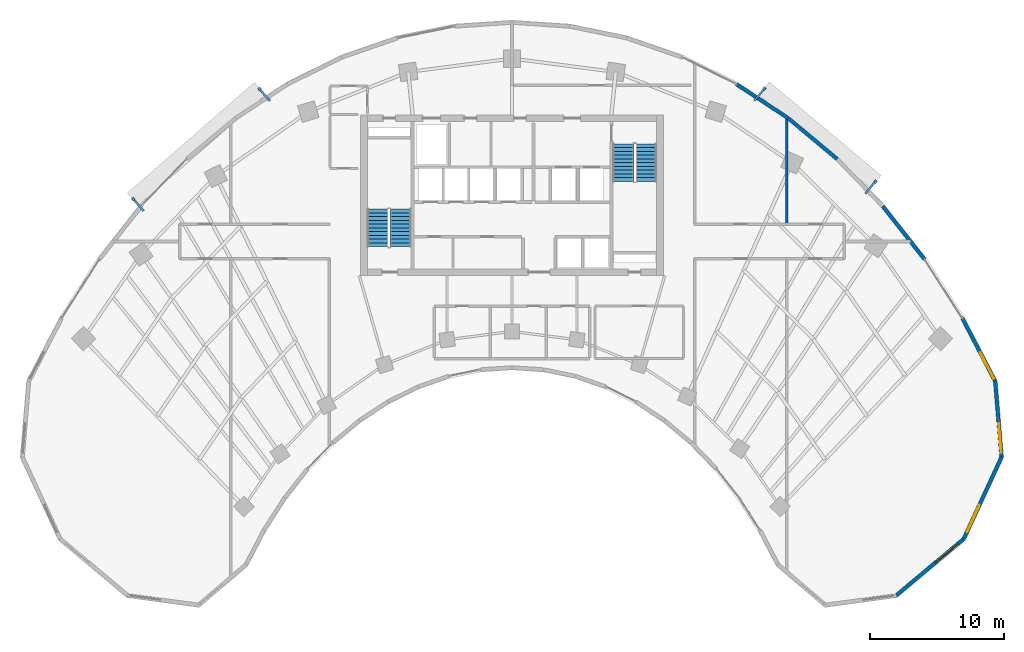
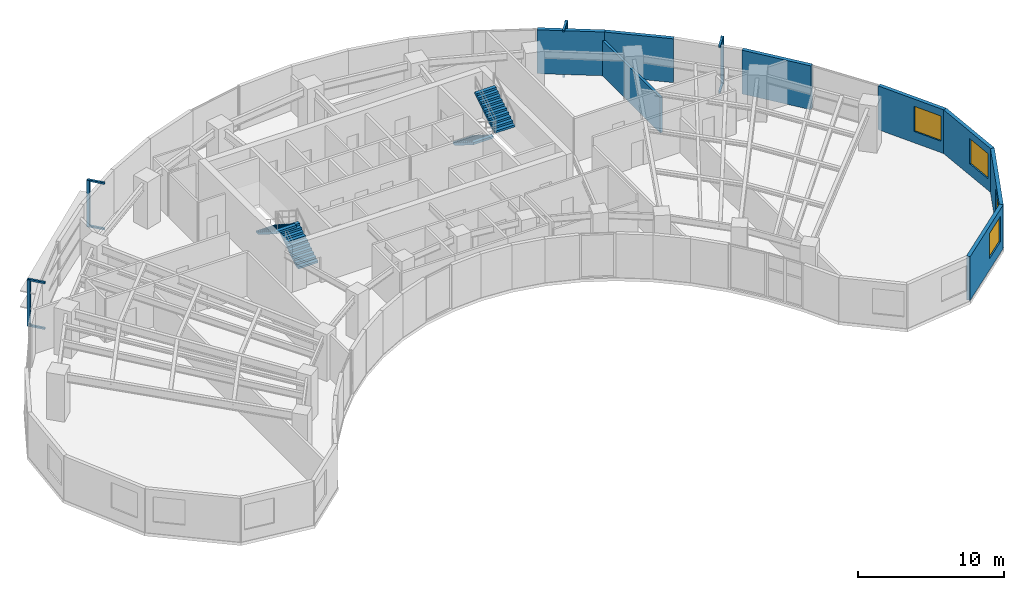
# One storey, part 11 of 13: 12 discrete accessories, 8 walls, 4 stair flights, 4 windows, 4 openings, 2 elements without a shape of their own.
"""IFC4 building model written with IfcOpenShell, lengths in metres."""

import ifcopenshell
import ifcopenshell.guid

model = None  # the IFC model being written
_history = None  # IfcOwnerHistory: only IFC2X3 demands one
_inside = {}  # id of a spatial element -> (the spatial element, [elements in it])
_under = {}  # id of a project, library or spatial element -> (it, [spatial elements below it])
_declared = {}  # id of a project -> (the project, [libraries it declares])
_typed = {}  # id of a type object -> (the type object, [elements of that type])
_made_of = {}  # id of a material, layer set ... -> (it, [elements and type objects made of it])


def new_model(schema):
    """Start an empty IFC model of exactly this schema.

    Asked for "IFC4X3", IfcOpenShell would pick the latest addendum, in which some entities
    have other attributes; the version numbers below select the first issue.
    IFC2X3 requires an IfcOwnerHistory on every rooted entity: one is made here for all.
    """
    global model, _history
    if schema == "IFC4X3":
        model = ifcopenshell.file(schema_version=(4, 3, 0, 0))
    else:
        model = ifcopenshell.file(schema=schema)
    _inside.clear()
    _under.clear()
    _declared.clear()
    _typed.clear()
    _made_of.clear()
    _history = None
    if model.schema == "IFC2X3":
        org = make("IfcOrganization", Name="unknown")
        user = make(
            "IfcPersonAndOrganization",
            ThePerson=make("IfcPerson", FamilyName="unknown"),
            TheOrganization=org,
        )
        app = make(
            "IfcApplication",
            ApplicationDeveloper=org,
            Version="unknown",
            ApplicationFullName="unknown",
            ApplicationIdentifier="unknown",
        )
        _history = make(
            "IfcOwnerHistory",
            OwningUser=user,
            OwningApplication=app,
            ChangeAction="ADDED",
            CreationDate=0,
        )
    return model


def make(cls, **values):
    """One entity of the class cls with the attributes given. An attribute that is None is left unset."""
    return model.create_entity(
        cls, **{name: value for name, value in values.items() if value is not None}
    )


def rooted(cls, **values):
    """An entity with a GlobalId (a new one), such as an element, a storey or a relation."""
    return make(cls, GlobalId=ifcopenshell.guid.new(), OwnerHistory=_history, **values)


def si_unit(unit_type, name, prefix=None):
    """IfcSIUnit, for example si_unit("LENGTHUNIT", "METRE", prefix="MILLI")."""
    return make("IfcSIUnit", UnitType=unit_type, Prefix=prefix, Name=name)


def assignment(units):
    """IfcUnitAssignment: the units of a project."""
    return None if units is None else make("IfcUnitAssignment", Units=units)


def point(xyz):
    """IfcCartesianPoint."""
    return None if xyz is None else make("IfcCartesianPoint", Coordinates=xyz)


def direction(xyz):
    """IfcDirection."""
    return None if xyz is None else make("IfcDirection", DirectionRatios=xyz)


def frame(location, z_axis=None, x_axis=None):
    """IfcAxis2Placement3D, a coordinate frame: its origin and axes. An axis left out is left unset."""
    return make(
        "IfcAxis2Placement3D",
        Location=point(location),
        Axis=direction(z_axis),
        RefDirection=direction(x_axis),
    )


def frame_2d(location, x_axis=None):
    """IfcAxis2Placement2D, a coordinate frame in the plane: its origin and x axis."""
    return make(
        "IfcAxis2Placement2D", Location=point(location), RefDirection=direction(x_axis)
    )


def origin():
    """The frame at (0, 0, 0) with its axes left unset."""
    return frame((0.0, 0.0, 0.0))


def origin_2d():
    """The frame at (0, 0) in the plane with its x axis left unset."""
    return frame_2d((0.0, 0.0))


def place(relative_to, where):
    """IfcLocalPlacement: puts the frame where relative to a parent placement (None: the world)."""
    return make(
        "IfcLocalPlacement", PlacementRelTo=relative_to, RelativePlacement=where
    )


def context(
    kind, dimensions, precision=None, world=None, true_north=None, identifier=None
):
    """IfcGeometricRepresentationContext, for example the 3D "Model" context."""
    return make(
        "IfcGeometricRepresentationContext",
        ContextIdentifier=identifier,
        ContextType=kind,
        CoordinateSpaceDimension=dimensions,
        Precision=precision,
        WorldCoordinateSystem=world,
        TrueNorth=true_north,
    )


def subcontext(parent, identifier, kind, view, scale=None):
    """IfcGeometricRepresentationSubContext, for example "Body" below "Model"."""
    return make(
        "IfcGeometricRepresentationSubContext",
        ContextIdentifier=identifier,
        ContextType=kind,
        ParentContext=parent,
        TargetScale=scale,
        TargetView=view,
    )


def project(units=None, contexts=None):
    """IfcProject with its units and contexts."""
    return rooted(
        "IfcProject",
        Name="project",
        RepresentationContexts=contexts,
        UnitsInContext=assignment(units),
    )


def spatial(cls, under=None, at=None, **own):
    """A site, building, storey or space (cls), placed at a placement, below another one or the project."""
    s = rooted(cls, ObjectPlacement=at, **own)
    if under is not None:
        _under.setdefault(under.id(), (under, []))[1].append(s)
    return s


def polyline(points):
    """IfcPolyline through the points."""
    return make("IfcPolyline", Points=[point(p) for p in points])


def profile(cls, at=None, kind="AREA", **sizes):
    """A parametric profile (cls). Its sizes go by their IFC names, for example OverallWidth=200.0."""
    return make(cls, ProfileType=kind, Position=at, **sizes)


def rectangle(**sizes):
    """IfcRectangleProfileDef."""
    return profile("IfcRectangleProfileDef", **sizes)


def outline(outer, holes=None, kind="AREA"):
    """IfcArbitraryClosedProfileDef: a profile drawn as a closed curve; with holes, ...WithVoids."""
    if holes is None:
        return make("IfcArbitraryClosedProfileDef", ProfileType=kind, OuterCurve=outer)
    return make(
        "IfcArbitraryProfileDefWithVoids",
        ProfileType=kind,
        OuterCurve=outer,
        InnerCurves=holes,
    )


def extrude(swept, where, along, depth):
    """IfcExtrudedAreaSolid: the profile swept, set in the frame where, extruded along a direction by depth."""
    return make(
        "IfcExtrudedAreaSolid",
        SweptArea=swept,
        Position=where,
        ExtrudedDirection=direction(along),
        Depth=depth,
    )


def shape(context_of_items, identifier, shape_type, items):
    """IfcShapeRepresentation: the items that make up one representation, for example the "Body"."""
    return make(
        "IfcShapeRepresentation",
        ContextOfItems=context_of_items,
        RepresentationIdentifier=identifier,
        RepresentationType=shape_type,
        Items=items,
    )


def source(mapping_origin, context_of_items, identifier, shape_type, items):
    """IfcRepresentationMap: a shape defined once, which mapped items show again and again."""
    return make(
        "IfcRepresentationMap",
        MappingOrigin=mapping_origin,
        MappedRepresentation=shape(context_of_items, identifier, shape_type, items),
    )


def transform(
    local_origin,
    x_axis=None,
    y_axis=None,
    z_axis=None,
    scale=None,
    scale2=None,
    scale3=None,
    uniform=True,
):
    """IfcCartesianTransformationOperator3D, or its non-uniform kind. x_axis, y_axis, z_axis: its Axis1, 2, 3."""
    if uniform:
        return make(
            "IfcCartesianTransformationOperator3D",
            Axis1=direction(x_axis),
            Axis2=direction(y_axis),
            LocalOrigin=point(local_origin),
            Scale=scale,
            Axis3=direction(z_axis),
        )
    return make(
        "IfcCartesianTransformationOperator3DnonUniform",
        Axis1=direction(x_axis),
        Axis2=direction(y_axis),
        LocalOrigin=point(local_origin),
        Scale=scale,
        Axis3=direction(z_axis),
        Scale2=scale2,
        Scale3=scale3,
    )


def mapped(mapping_source, mapping_target):
    """IfcMappedItem: shows the shape of a source again, moved by a transform."""
    return make(
        "IfcMappedItem", MappingSource=mapping_source, MappingTarget=mapping_target
    )


def material(Name=None, Category=None):
    """IfcMaterial."""
    return make("IfcMaterial", Name=Name, Category=Category)


def layer(
    of_material, thickness, ventilated=None, Name=None, Category=None, Priority=None
):
    """IfcMaterialLayer: one layer of a wall or slab, of a material (None: an air gap)."""
    return make(
        "IfcMaterialLayer",
        Material=of_material,
        LayerThickness=thickness,
        IsVentilated=ventilated,
        Name=Name,
        Category=Category,
        Priority=Priority,
    )


def layer_set(layers, Name=None):
    """IfcMaterialLayerSet."""
    return make("IfcMaterialLayerSet", MaterialLayers=layers, LayerSetName=Name)


def made_of(thing, what):
    """Note that an element or type object is made of a material, layer set ...; save() writes the relation."""
    if what is not None:
        _made_of.setdefault(what.id(), (what, []))[1].append(thing)
    return thing


def type_object(cls, material=None, **own):
    """A type object (cls), such as IfcWallType, which elements share."""
    return made_of(rooted(cls, **own), material)


def type_shapes(of_type, sources):
    """Give a type object the sources (RepresentationMaps) that its elements show as mapped items."""
    of_type.RepresentationMaps = sources


def element(
    cls,
    number,
    at=None,
    inside=None,
    cuts=None,
    type_object=None,
    material=None,
    context=None,
    identifier="Body",
    shape_type=None,
    held_by="IfcProductDefinitionShape",
    body=None,
    shapes=None,
    **own,
):
    """One element of the class cls, such as IfcWall. Its Tag is "e" and its number.

    at: its placement. inside: the storey or other place that contains it. cuts: it is an
    opening in that element (IfcRelVoidsElement). A single representation is given by context,
    identifier, shape_type and body (its items); several are given by shapes. held_by: the class
    of the entity that holds the representations. save() writes the other relations.
    """
    e = rooted(cls, Tag="e%d" % number, ObjectPlacement=at, **own)
    if body is not None:
        shapes = [shape(context, identifier, shape_type, body)]
    if shapes is not None:
        e.Representation = make(held_by, Representations=shapes)
    if inside is not None:
        _inside.setdefault(inside.id(), (inside, []))[1].append(e)
    if cuts is not None:
        rooted(
            "IfcRelVoidsElement", RelatingBuildingElement=cuts, RelatedOpeningElement=e
        )
    if type_object is not None:
        _typed.setdefault(type_object.id(), (type_object, []))[1].append(e)
    return made_of(e, material)


def fill(opening, filler):
    """IfcRelFillsElement: the door or window that sits in an opening."""
    return rooted(
        "IfcRelFillsElement",
        RelatingOpeningElement=opening,
        RelatedBuildingElement=filler,
    )


def aggregate(whole, parts):
    """IfcRelAggregates: a whole, such as a stair, and the parts it consists of."""
    return rooted("IfcRelAggregates", RelatingObject=whole, RelatedObjects=parts)


def save(model, path):
    """Write the relations noted so far, then the file.

    IfcRelAggregates (storeys below a building ...), IfcRelContainedInSpatialStructure (elements
    in a storey), IfcRelDefinesByType, IfcRelAssociatesMaterial and IfcRelDeclares: one each for
    every whole, place, type object, material and project.
    """
    for whole, parts in _under.values():
        aggregate(whole, parts)
    for where, things in _inside.values():
        rooted(
            "IfcRelContainedInSpatialStructure",
            RelatedElements=things,
            RelatingStructure=where,
        )
    for kind, things in _typed.values():
        rooted("IfcRelDefinesByType", RelatedObjects=things, RelatingType=kind)
    for what, things in _made_of.values():
        rooted("IfcRelAssociatesMaterial", RelatedObjects=things, RelatingMaterial=what)
    for by, libraries in _declared.values():
        rooted("IfcRelDeclares", RelatingContext=by, RelatedDefinitions=libraries)
    model.write(path)


model = new_model("IFC4")

# Units and contexts
model_context = context("Model", 3, precision=1e-05, world=origin(), true_north=direction((0.0, 1.0)))
body_context = subcontext(model_context, "Body", "Model", "MODEL_VIEW")
ifc_project = project(units=[si_unit("LENGTHUNIT", "METRE"), si_unit("AREAUNIT", "SQUARE_METRE"), si_unit("VOLUMEUNIT", "CUBIC_METRE"), si_unit("PLANEANGLEUNIT", "RADIAN"), si_unit("MASSUNIT", "GRAM", prefix="KILO")], contexts=[model_context])

# Site, building, storey
site_placement = place(None, origin())
site = spatial("IfcSite", under=ifc_project, at=site_placement, CompositionType="ELEMENT")
building_placement = place(site_placement, origin())
building = spatial("IfcBuilding", under=site, at=building_placement, Name="Breltana Convention Tower", CompositionType="ELEMENT")
storey_placement = place(building_placement, frame((0.0, 0.0, 107.699951171875)))
storey = spatial("IfcBuildingStorey", under=building, at=storey_placement, Name="L25", CompositionType="ELEMENT", Elevation=107.699951171875)

# Wall, opening, window
ifc_material_1 = material(Name="Limestone Buff Insulated Wall", Category="masonry")
ifc_layer_1 = layer(ifc_material_1, 0.280029296875, Name="Limestone Buff Insulated Wall")
ifc_layer_set_1 = layer_set([ifc_layer_1], Name="Limestone Buff Insulated Wall")
wall_type_1 = type_object("IfcWallType", Name="WL-EXT-NOSE-280", PredefinedType="SOLIDWALL", material=ifc_layer_set_1)
shared_shape_1 = source(origin(), body_context, "Body", "SweptSolid", [
    extrude(rectangle(XDim=5.673583984375, YDim=0.280029296875, at=frame_2d((2.8369140625, 0.0))), origin(), (0.0, 0.0, 1.0), 3.650146484375),
])
wall_1_placement = place(storey_placement, frame((84.07763671875, 52.305419921875, 0.0), z_axis=(0.0, 0.0, 1.0), x_axis=(0.083309007867, -0.996523762491, 0.0)))
wall_1 = element("IfcWall", 1, at=wall_1_placement, inside=storey, type_object=wall_type_1, Name="L25 curved limestone nose wall E1", PredefinedType="SOLIDWALL", context=body_context, shape_type="MappedRepresentation", body=[
    mapped(shared_shape_1, transform((0.0, 0.0, 0.0), scale=1.0)),
])
opening_1_placement = place(wall_1_placement, frame((3.155029296875, 0.0, 0.949951171875)))
opening_1 = element("IfcOpeningElement", 2, at=opening_1_placement, cuts=wall_1, Name="Opening W-03", PredefinedType="OPENING", context=body_context, shape_type="SweptSolid", body=[
    extrude(rectangle(XDim=2.199951171875, YDim=2.10009765625, at=frame_2d((1.10009765625, 1.050048828125))), frame((0.0, 0.14990234375, 0.0), z_axis=(0.0, -1.0, 0.0), x_axis=(1.0, 0.0, 0.0)), (0.0, 0.0, 1.0), 0.300048828125),
])
ifc_material_2 = material(Name="Glass Low-E Insulated Window", Category="glass")
window_type = type_object("IfcWindowType", Name="WN-NOSE-2200X2100", PartitioningType="TRIPLE_PANEL_VERTICAL", PredefinedType="WINDOW", material=ifc_material_2)
shared_shape_2 = source(origin(), body_context, "Body", "SweptSolid", [
    extrude(rectangle(XDim=2.199951171875, YDim=2.10009765625, at=frame_2d((1.10009765625, 1.050048828125))), frame((0.0, 0.030029296875, 0.0), z_axis=(0.0, -1.0, 0.0), x_axis=(1.0, 0.0, 0.0)), (0.0, 0.0, 1.0), 0.06005859375),
])
type_shapes(window_type, [shared_shape_2])
window_1_placement = place(opening_1_placement, origin())
window_1 = element("IfcWindow", 3, at=window_1_placement, inside=storey, type_object=window_type, Name="L25 nose window E1", OverallHeight=2.10009765625, OverallWidth=2.199951171875, PartitioningType="TRIPLE_PANEL_VERTICAL", PredefinedType="WINDOW", context=body_context, shape_type="MappedRepresentation", body=[
    mapped(shared_shape_2, transform((0.0, 0.0, 0.0), scale=1.0)),
])
fill(opening_1, window_1)

shared_shape_3 = source(origin(), body_context, "Body", "SweptSolid", [
    extrude(rectangle(XDim=6.731689453125, YDim=0.280029296875, at=frame_2d((3.36572265625, 0.0))), origin(), (0.0, 0.0, 1.0), 3.650146484375),
])
wall_2_placement = place(storey_placement, frame((84.55029296875, 46.651611328125, 0.0), z_axis=(0.0, 0.0, 1.0), x_axis=(-0.419644552709, -0.907688520023, 0.0)))
wall_2 = element("IfcWall", 4, at=wall_2_placement, inside=storey, type_object=wall_type_1, Name="L25 curved limestone nose wall E2", PredefinedType="SOLIDWALL", context=body_context, shape_type="MappedRepresentation", body=[
    mapped(shared_shape_3, transform((0.0, 0.0, 0.0), scale=1.0)),
])
opening_2_placement = place(wall_2_placement, frame((3.948974609375, 0.0, 0.949951171875)))
opening_2 = element("IfcOpeningElement", 5, at=opening_2_placement, cuts=wall_2, Name="Opening W-03", PredefinedType="OPENING", context=body_context, shape_type="SweptSolid", body=[
    extrude(rectangle(XDim=2.199951171875, YDim=2.10009765625, at=frame_2d((1.10009765625, 1.050048828125))), frame((0.0, 0.14990234375, 0.0), z_axis=(0.0, -1.0, 0.0), x_axis=(1.0, 0.0, 0.0)), (0.0, 0.0, 1.0), 0.300048828125),
])
window_2_placement = place(opening_2_placement, origin())
window_2 = element("IfcWindow", 6, at=window_2_placement, inside=storey, type_object=window_type, Name="L25 nose window E2", OverallHeight=2.10009765625, OverallWidth=2.199951171875, PartitioningType="TRIPLE_PANEL_VERTICAL", PredefinedType="WINDOW", context=body_context, shape_type="MappedRepresentation", body=[
    mapped(shared_shape_2, transform((0.0, 0.0, 0.0), scale=1.0)),
])
fill(opening_2, window_2)

shared_shape_4 = source(origin(), body_context, "Body", "SweptSolid", [
    extrude(rectangle(XDim=6.572998046875, YDim=0.280029296875, at=frame_2d((3.28662109375, 0.0))), origin(), (0.0, 0.0, 1.0), 3.650146484375),
])
wall_3_placement = place(storey_placement, frame((81.725341796875, 40.541259765625, 0.0), z_axis=(0.0, 0.0, 1.0), x_axis=(-0.766715154163, -0.641987439423, 0.0)))
wall_3 = element("IfcWall", 7, at=wall_3_placement, inside=storey, type_object=wall_type_1, Name="L25 curved limestone nose wall E3", PredefinedType="SOLIDWALL", context=body_context, shape_type="MappedRepresentation", body=[
    mapped(shared_shape_4, transform((0.0, 0.0, 0.0), scale=1.0)),
])
opening_3_placement = place(wall_3_placement, frame((0.543212890625, 0.0, 0.949951171875)))
opening_3 = element("IfcOpeningElement", 8, at=opening_3_placement, cuts=wall_3, Name="Opening W-03", PredefinedType="OPENING", context=body_context, shape_type="SweptSolid", body=[
    extrude(rectangle(XDim=2.199951171875, YDim=2.10009765625, at=frame_2d((1.10009765625, 1.050048828125))), frame((0.0, 0.14990234375, 0.0), z_axis=(0.0, -1.0, 0.0), x_axis=(1.0, 0.0, 0.0)), (0.0, 0.0, 1.0), 0.300048828125),
])
window_3_placement = place(opening_3_placement, origin())
window_3 = element("IfcWindow", 9, at=window_3_placement, inside=storey, type_object=window_type, Name="L25 nose window E3", OverallHeight=2.10009765625, OverallWidth=2.199951171875, PartitioningType="TRIPLE_PANEL_VERTICAL", PredefinedType="WINDOW", context=body_context, shape_type="MappedRepresentation", body=[
    mapped(shared_shape_2, transform((0.0, 0.0, 0.0), scale=1.0)),
])
fill(opening_3, window_3)

shared_shape_5 = source(origin(), body_context, "Body", "SweptSolid", [
    extrude(rectangle(XDim=5.315185546875, YDim=0.280029296875, at=frame_2d((2.65771484375, 0.0))), origin(), (0.0, 0.0, 1.0), 3.650146484375),
])
wall_4_placement = place(storey_placement, frame((81.623291015625, 57.02001953125, 0.0), z_axis=(0.0, 0.0, 1.0), x_axis=(0.461760527822, -0.887004630735, 0.0)))
wall_4 = element("IfcWall", 10, at=wall_4_placement, inside=storey, type_object=wall_type_1, Name="L25 curved limestone nose wall E33", PredefinedType="SOLIDWALL", context=body_context, shape_type="MappedRepresentation", body=[
    mapped(shared_shape_5, transform((0.0, 0.0, 0.0), scale=1.0)),
])
opening_4_placement = place(wall_4_placement, frame((2.886474609375, 0.0, 0.949951171875)))
opening_4 = element("IfcOpeningElement", 11, at=opening_4_placement, cuts=wall_4, Name="Opening W-03", PredefinedType="OPENING", context=body_context, shape_type="SweptSolid", body=[
    extrude(rectangle(XDim=2.199951171875, YDim=2.10009765625, at=frame_2d((1.10009765625, 1.050048828125))), frame((0.0, 0.14990234375, 0.0), z_axis=(0.0, -1.0, 0.0), x_axis=(1.0, 0.0, 0.0)), (0.0, 0.0, 1.0), 0.300048828125),
])
window_4_placement = place(opening_4_placement, origin())
window_4 = element("IfcWindow", 12, at=window_4_placement, inside=storey, type_object=window_type, Name="L25 nose window E33", OverallHeight=2.10009765625, OverallWidth=2.199951171875, PartitioningType="TRIPLE_PANEL_VERTICAL", PredefinedType="WINDOW", context=body_context, shape_type="MappedRepresentation", body=[
    mapped(shared_shape_2, transform((0.0, 0.0, 0.0), scale=1.0)),
])
fill(opening_4, window_4)

# Walls
shared_shape_6 = source(origin(), body_context, "Body", "SweptSolid", [
    extrude(rectangle(XDim=5.05810546875, YDim=0.280029296875, at=frame_2d((2.529052734375, 0.0))), origin(), (0.0, 0.0, 1.0), 3.650146484375),
])
wall_5_placement = place(storey_placement, frame((75.684814453125, 65.37646484375, 0.0), z_axis=(0.0, 0.0, 1.0), x_axis=(0.618145507434, -0.786063694391, 0.0)))
element("IfcWall", 13, at=wall_5_placement, inside=storey, type_object=wall_type_1, Name="L25 curved limestone nose wall E32", PredefinedType="SOLIDWALL", context=body_context, shape_type="MappedRepresentation", body=[
    mapped(shared_shape_6, transform((0.0, 0.0, 0.0), scale=1.0)),
])
shared_shape_7 = source(origin(), body_context, "Body", "SweptSolid", [
    extrude(rectangle(XDim=4.76220703125, YDim=0.280029296875, at=frame_2d((2.381103515625, 0.0))), origin(), (0.0, 0.0, 1.0), 3.650146484375),
])
wall_6_placement = place(storey_placement, frame((68.6181640625, 71.957763671875, 0.0), z_axis=(0.0, 0.0, 1.0), x_axis=(0.767952279762, -0.640507061638, 0.0)))
element("IfcWall", 14, at=wall_6_placement, inside=storey, type_object=wall_type_1, Name="L25 curved limestone nose wall E30", PredefinedType="SOLIDWALL", context=body_context, shape_type="MappedRepresentation", body=[
    mapped(shared_shape_7, transform((0.0, 0.0, 0.0), scale=1.0)),
])
shared_shape_8 = source(origin(), body_context, "Body", "SweptSolid", [
    extrude(rectangle(XDim=4.625732421875, YDim=0.280029296875, at=frame_2d((2.31298828125, 0.0))), origin(), (0.0, 0.0, 1.0), 3.650146484375),
])
wall_7_placement = place(storey_placement, frame((64.751220703125, 74.496337890625, 0.0), z_axis=(0.0, 0.0, 1.0), x_axis=(0.83595938331, -0.548791316855, 0.0)))
element("IfcWall", 15, at=wall_7_placement, inside=storey, type_object=wall_type_1, Name="L25 curved limestone nose wall E29", PredefinedType="SOLIDWALL", context=body_context, shape_type="MappedRepresentation", body=[
    mapped(shared_shape_8, transform((0.0, 0.0, 0.0), scale=1.0)),
])
ifc_material_3 = material(Name="Gypsum Acoustic Hotel Wall")
ifc_layer_2 = layer(ifc_material_3, 0.195068359375, Name="Gypsum Acoustic Hotel Wall")
ifc_layer_set_2 = layer_set([ifc_layer_2], Name="Gypsum Acoustic Hotel Wall")
wall_type_2 = type_object("IfcWallType", Name="WL-HOTEL-200", PredefinedType="PARTITIONING", material=ifc_layer_set_2)
shared_shape_9 = source(origin(), body_context, "Body", "SweptSolid", [
    extrude(rectangle(XDim=7.96337890625, YDim=0.195068359375, at=frame_2d((3.981689453125, 0.0))), origin(), (0.0, 0.0, 1.0), 2.942138671875),
])
wall_8_placement = place(storey_placement, frame((68.5, 64.06005859375, 0.0), z_axis=(0.0, 0.0, 1.0), x_axis=(0.0, 1.0, 0.0)))
element("IfcWall", 16, at=wall_8_placement, inside=storey, type_object=wall_type_2, Name="L25 interior partition W-L25-ZEN1-E", PredefinedType="PARTITIONING", context=body_context, shape_type="MappedRepresentation", body=[
    mapped(shared_shape_9, transform((0.0, 0.0, 0.0), scale=1.0)),
])

# Stair, stair flights
ifc_material_4 = material(Name="Concrete C40/50", Category="concrete")
stair_type = type_object("IfcStairType", Name="ST-DOG-1560-R177", PredefinedType="HALF_TURN_STAIR", material=ifc_material_4)
stair_1_placement = place(storey_placement, origin())
stair_1 = element("IfcStair", 17, at=stair_1_placement, inside=storey, type_object=stair_type, Name="L25 Protected Core Exit Stair ST-1", PredefinedType="HALF_TURN_STAIR")
stair_flight_type = type_object("IfcStairFlightType", Name="STF-DOG-1560-N11-R177", PredefinedType="STRAIGHT", material=ifc_material_4)
stair_flight_1_placement = place(storey_placement, frame((39.68994140625, 62.360107421875, 0.0), z_axis=(0.0, 0.0, 1.0), x_axis=(0.0, 1.0, 0.0)))
stair_flight_1 = element("IfcStairFlight", 18, at=stair_flight_1_placement, type_object=stair_flight_type, Name="ST-1 flight 1", NumberOfRisers=11, NumberOfTreads=10, PredefinedType="STRAIGHT", RiserHeight=0.177272727, TreadLength=0.28, context=body_context, shape_type="SweptSolid", body=[
    extrude(outline(polyline([(0.0, 0.0), (0.0, 0.17724609375), (0.280029296875, 0.17724609375), (0.280029296875, 0.3544921875), (0.56005859375, 0.3544921875), (0.56005859375, 0.53173828125), (0.840087890625, 0.53173828125), (0.840087890625, 0.708984375), (1.1201171875, 0.708984375), (1.1201171875, 0.886474609375), (1.39990234375, 0.886474609375), (1.39990234375, 1.063720703125), (1.679931640625, 1.063720703125), (1.679931640625, 1.240966796875), (1.9599609375, 1.240966796875), (1.9599609375, 1.418212890625), (2.239990234375, 1.418212890625), (2.239990234375, 1.595458984375), (2.52001953125, 1.595458984375), (2.52001953125, 1.772705078125), (2.800048828125, 1.772705078125), (2.800048828125, 1.949951171875), (2.800048828125, 1.59521484375), (0.2802734375, 0.0), (0.0, 0.0)])), frame((0.0, 0.780029296875, 0.0), z_axis=(0.0, -1.0, 0.0), x_axis=(1.0, 0.0, 0.0)), (0.0, 0.0, 1.0), 1.56005859375),
])
stair_flight_2_placement = place(storey_placement, frame((37.97998046875, 65.159912109375, 1.949951171875), z_axis=(0.0, 0.0, 1.0), x_axis=(0.0, -1.0, 0.0)))
stair_flight_2 = element("IfcStairFlight", 19, at=stair_flight_2_placement, type_object=stair_flight_type, Name="ST-1 flight 2", NumberOfRisers=11, NumberOfTreads=10, PredefinedType="STRAIGHT", RiserHeight=0.177272727, TreadLength=0.28, context=body_context, shape_type="SweptSolid", body=[
    extrude(outline(polyline([(0.0, 0.0), (0.0, 0.17724609375), (0.280029296875, 0.17724609375), (0.280029296875, 0.3544921875), (0.56005859375, 0.3544921875), (0.56005859375, 0.53173828125), (0.840087890625, 0.53173828125), (0.840087890625, 0.708984375), (1.1201171875, 0.708984375), (1.1201171875, 0.886474609375), (1.39990234375, 0.886474609375), (1.39990234375, 1.063720703125), (1.679931640625, 1.063720703125), (1.679931640625, 1.240966796875), (1.9599609375, 1.240966796875), (1.9599609375, 1.418212890625), (2.239990234375, 1.418212890625), (2.239990234375, 1.595458984375), (2.52001953125, 1.595458984375), (2.52001953125, 1.772705078125), (2.800048828125, 1.772705078125), (2.800048828125, 1.949951171875), (2.800048828125, 1.59521484375), (0.2802734375, 0.0), (0.0, 0.0)])), frame((0.0, 0.780029296875, 0.0), z_axis=(0.0, -1.0, 0.0), x_axis=(1.0, 0.0, 0.0)), (0.0, 0.0, 1.0), 1.56005859375),
])
aggregate(stair_1, [stair_flight_1, stair_flight_2])

stair_2_placement = place(storey_placement, origin())
stair_2 = element("IfcStair", 20, at=stair_2_placement, inside=storey, type_object=stair_type, Name="L25 Protected Core Exit Stair ST-2", PredefinedType="HALF_TURN_STAIR")
stair_flight_3_placement = place(storey_placement, frame((56.31005859375, 70.0400390625, 0.0), z_axis=(0.0, 0.0, 1.0), x_axis=(0.0, -1.0, 0.0)))
stair_flight_3 = element("IfcStairFlight", 21, at=stair_flight_3_placement, type_object=stair_flight_type, Name="ST-2 flight 1", NumberOfRisers=11, NumberOfTreads=10, PredefinedType="STRAIGHT", RiserHeight=0.177272727, TreadLength=0.28, context=body_context, shape_type="SweptSolid", body=[
    extrude(outline(polyline([(0.0, 0.0), (0.0, 0.17724609375), (0.280029296875, 0.17724609375), (0.280029296875, 0.3544921875), (0.56005859375, 0.3544921875), (0.56005859375, 0.53173828125), (0.840087890625, 0.53173828125), (0.840087890625, 0.708984375), (1.1201171875, 0.708984375), (1.1201171875, 0.886474609375), (1.39990234375, 0.886474609375), (1.39990234375, 1.063720703125), (1.679931640625, 1.063720703125), (1.679931640625, 1.240966796875), (1.9599609375, 1.240966796875), (1.9599609375, 1.418212890625), (2.239990234375, 1.418212890625), (2.239990234375, 1.595458984375), (2.52001953125, 1.595458984375), (2.52001953125, 1.772705078125), (2.800048828125, 1.772705078125), (2.800048828125, 1.949951171875), (2.800048828125, 1.59521484375), (0.2802734375, 0.0), (0.0, 0.0)])), frame((0.0, 0.780029296875, 0.0), z_axis=(0.0, -1.0, 0.0), x_axis=(1.0, 0.0, 0.0)), (0.0, 0.0, 1.0), 1.56005859375),
])
stair_flight_4_placement = place(storey_placement, frame((58.02001953125, 67.239990234375, 1.949951171875), z_axis=(0.0, 0.0, 1.0), x_axis=(0.0, 1.0, 0.0)))
stair_flight_4 = element("IfcStairFlight", 22, at=stair_flight_4_placement, type_object=stair_flight_type, Name="ST-2 flight 2", NumberOfRisers=11, NumberOfTreads=10, PredefinedType="STRAIGHT", RiserHeight=0.177272727, TreadLength=0.28, context=body_context, shape_type="SweptSolid", body=[
    extrude(outline(polyline([(0.0, 0.0), (0.0, 0.17724609375), (0.280029296875, 0.17724609375), (0.280029296875, 0.3544921875), (0.56005859375, 0.3544921875), (0.56005859375, 0.53173828125), (0.840087890625, 0.53173828125), (0.840087890625, 0.708984375), (1.1201171875, 0.708984375), (1.1201171875, 0.886474609375), (1.39990234375, 0.886474609375), (1.39990234375, 1.063720703125), (1.679931640625, 1.063720703125), (1.679931640625, 1.240966796875), (1.9599609375, 1.240966796875), (1.9599609375, 1.418212890625), (2.239990234375, 1.418212890625), (2.239990234375, 1.595458984375), (2.52001953125, 1.595458984375), (2.52001953125, 1.772705078125), (2.800048828125, 1.772705078125), (2.800048828125, 1.949951171875), (2.800048828125, 1.59521484375), (0.2802734375, 0.0), (0.0, 0.0)])), frame((0.0, 0.780029296875, 0.0), z_axis=(0.0, -1.0, 0.0), x_axis=(1.0, 0.0, 0.0)), (0.0, 0.0, 1.0), 1.56005859375),
])
aggregate(stair_2, [stair_flight_3, stair_flight_4])

# Discrete accessories
ifc_material_5 = material(Name="Steel S355", Category="steel")
discrete_accessory_type_1 = type_object("IfcDiscreteAccessoryType", Name="ACC-DSF-BRACKET-150", PredefinedType="BRACKET", material=ifc_material_5)
shared_shape_10 = source(origin(), body_context, "Body", "SweptSolid", [
    extrude(rectangle(XDim=1.239990234375, YDim=0.14990234375, at=origin_2d()), origin(), (0.0, 0.0, 1.0), 0.139892578125),
])
type_shapes(discrete_accessory_type_1, [shared_shape_10])
for number, where, z_axis, x_axis, name in (
    (23, (20.080322265625, 65.49853515625, -0.15966796875), (0.0, 0.0, 1.0), (-0.656454255701, 0.754365833115, 0.0), "L25 double-skin slab stand-off bracket 1.1B"),
    (24, (20.080322265625, 65.49853515625, 3.64990234375), (0.0, 0.0, 1.0), (-0.656454255701, 0.754365833115, 0.0), "L25 double-skin slab stand-off bracket 1.1T"),
    (25, (29.520751953125, 73.713623046875, -0.15966796875), (0.0, 0.0, 1.0), (-0.656454255701, 0.754365833115, 0.0), "L25 double-skin slab stand-off bracket 1.2B"),
    (26, (29.520751953125, 73.713623046875, 3.64990234375), (0.0, 0.0, 1.0), (-0.656454255701, 0.754365833115, 0.0), "L25 double-skin slab stand-off bracket 1.2T"),
    (27, (66.487060546875, 73.735595703125, -0.15966796875), (0.0, 0.0, 1.0), (0.641987488939, 0.766715112702, 0.0), "L25 double-skin slab stand-off bracket 2.1B"),
    (28, (66.487060546875, 73.735595703125, 3.64990234375), (0.0, 0.0, 1.0), (0.641987488939, 0.766715112702, 0.0), "L25 double-skin slab stand-off bracket 2.1T"),
    (29, (74.777099609375, 66.794189453125, -0.15966796875), (0.0, 0.0, 1.0), (0.641987488939, 0.766715112702, 0.0), "L25 double-skin slab stand-off bracket 2.2B"),
    (30, (74.777099609375, 66.794189453125, 3.64990234375), (0.0, 0.0, 1.0), (0.641987488939, 0.766715112702, 0.0), "L25 double-skin slab stand-off bracket 2.2T"),
):
    element("IfcDiscreteAccessory", number, at=place(storey_placement, frame(where, z_axis=z_axis, x_axis=x_axis)), inside=storey, type_object=discrete_accessory_type_1, Name=name, PredefinedType="BRACKET", context=body_context, shape_type="MappedRepresentation", body=[
        mapped(shared_shape_10, transform((0.0, 0.0, 0.0), scale=1.0)),
    ])
discrete_accessory_type_2 = type_object("IfcDiscreteAccessoryType", Name="ACC-DSF-CARRIER-150", PredefinedType="BRACKET", material=ifc_material_5)
shared_shape_11 = source(origin(), body_context, "Body", "SweptSolid", [
    extrude(rectangle(XDim=0.219970703125, YDim=0.219970703125, at=origin_2d()), origin(), (0.0, 0.0, 1.0), 3.8701171875),
])
for number, where, z_axis, x_axis, name in (
    (31, (19.712646484375, 65.9208984375, -0.1201171875), (0.0, 0.0, 1.0), (-0.656454255701, 0.754365833115, 0.0), "L25 double-skin outer vertical carrier 1.1"),
    (32, (29.153076171875, 74.135986328125, -0.1201171875), (0.0, 0.0, 1.0), (-0.656454255701, 0.754365833115, 0.0), "L25 double-skin outer vertical carrier 1.2"),
    (33, (66.8466796875, 74.1650390625, -0.1201171875), (0.0, 0.0, 1.0), (0.641987488939, 0.766715112702, 0.0), "L25 double-skin outer vertical carrier 2.1"),
    (34, (75.13671875, 67.2236328125, -0.1201171875), (0.0, 0.0, 1.0), (0.641987488939, 0.766715112702, 0.0), "L25 double-skin outer vertical carrier 2.2"),
):
    element("IfcDiscreteAccessory", number, at=place(storey_placement, frame(where, z_axis=z_axis, x_axis=x_axis)), inside=storey, type_object=discrete_accessory_type_2, Name=name, PredefinedType="BRACKET", context=body_context, shape_type="MappedRepresentation", body=[
        mapped(shared_shape_11, transform((0.0, 0.0, 0.0), scale=1.0)),
    ])

save(model, "model.ifc")
